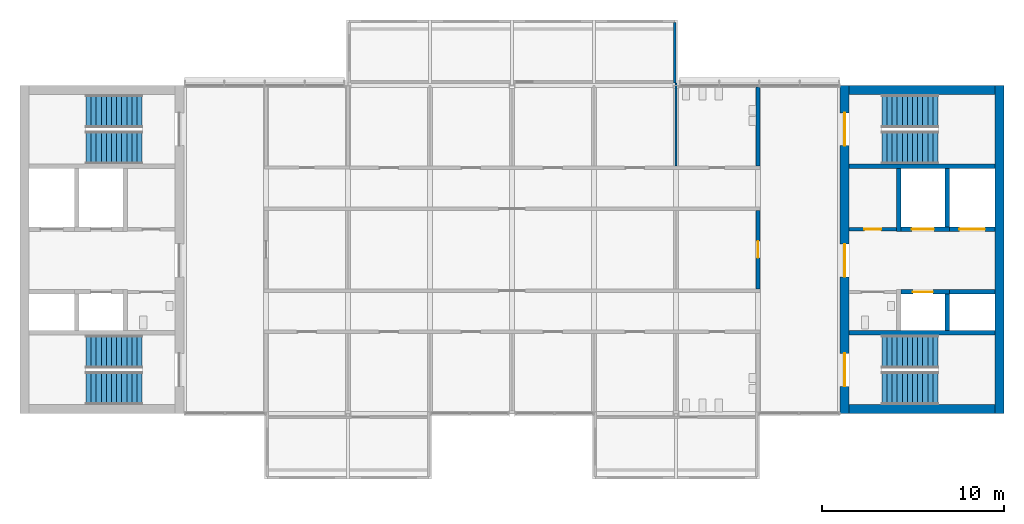
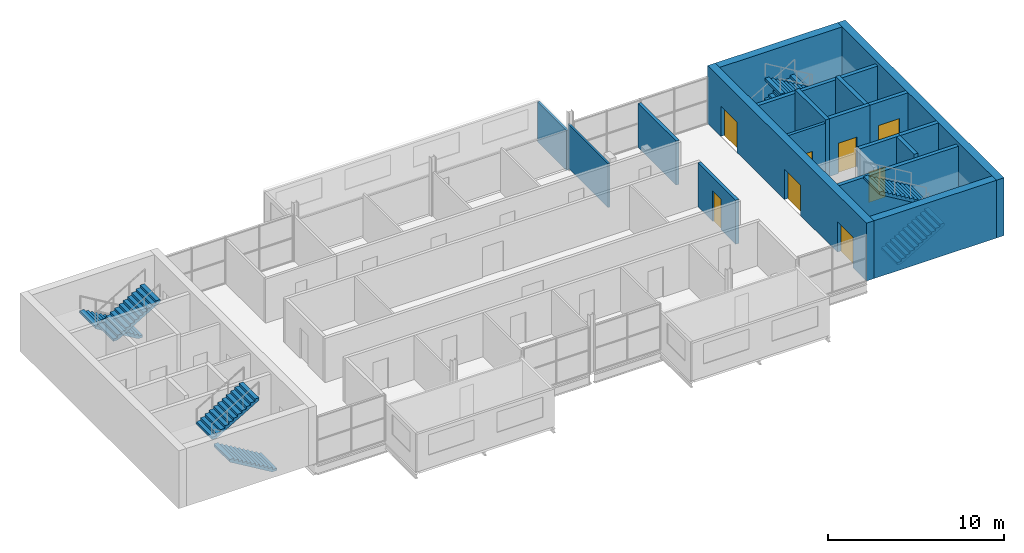
# One storey, part 7 of 10: 18 walls, 8 doors, 8 stair flights, 8 openings, 4 elements without a shape of their own.
"""IFC4 building model written with IfcOpenShell, lengths in metres."""

from ifc_helpers import new_model, si_unit, direction, frame, frame_2d, origin, place, context, subcontext, project, spatial, polyline, rectangle, outline, extrude, material, layer, layer_set, type_object, element, fill, aggregate, save


model = new_model("IFC4")

# Units and contexts
model_context = context("Model", 3, precision=1e-05, world=origin(), true_north=direction((0.0, 1.0)))
body_context = subcontext(model_context, "Body", "Model", "MODEL_VIEW")
ifc_project = project(units=[si_unit("LENGTHUNIT", "METRE"), si_unit("AREAUNIT", "SQUARE_METRE"), si_unit("VOLUMEUNIT", "CUBIC_METRE"), si_unit("PLANEANGLEUNIT", "RADIAN"), si_unit("MASSUNIT", "GRAM", prefix="KILO")], contexts=[model_context])

# Site, building, storey
site_placement = place(None, origin())
site = spatial("IfcSite", under=ifc_project, at=site_placement, CompositionType="ELEMENT")
building_placement = place(site_placement, origin())
building = spatial("IfcBuilding", under=site, at=building_placement, Name="Corbel Yard City Hall", CompositionType="ELEMENT")
storey_placement = place(building_placement, frame((0.0, 0.0, 63.199951171875)))
storey = spatial("IfcBuildingStorey", under=building, at=storey_placement, Name="L15", CompositionType="ELEMENT", Elevation=63.199951171875)

# Walls
ifc_material_1 = material(Name="Concrete N40 (40 MPa)", Category="concrete")
ifc_layer_1 = layer(ifc_material_1, 0.25)
ifc_layer_set_1 = layer_set([ifc_layer_1], Name="Concrete N40 (40 MPa)")
wall_type_1 = type_object("IfcWallType", Name="IW2", PredefinedType="SOLIDWALL", material=ifc_layer_set_1)
for number, where, z_axis, x_axis, name in (
    (1, (45.5, 103.425048828125, 0.0), (0.0, 0.0, 1.0), (1.0, 0.0, 0.0), "Stair enclosure wall"),
    (2, (45.5, 112.574951171875, 0.0), (0.0, 0.0, 1.0), (1.0, 0.0, 0.0), "Stair enclosure wall"),
):
    element("IfcWall", number, at=place(storey_placement, frame(where, z_axis=z_axis, x_axis=x_axis)), inside=storey, type_object=wall_type_1, Name=name, PredefinedType="SOLIDWALL", context=body_context, shape_type="SweptSolid", body=[
        extrude(rectangle(XDim=8.0, YDim=0.25, at=frame_2d((4.0, 0.0))), origin(), (0.0, 0.0, 1.0), 3.75),
    ])
wall_1_placement = place(storey_placement, frame((50.875, 103.550048828125, 0.0), z_axis=(0.0, 0.0, 1.0), x_axis=(0.0, 1.0, 0.0)))
element("IfcWall", 3, at=wall_1_placement, inside=storey, type_object=wall_type_1, Name="Lift LP25 shaft wall", PredefinedType="SOLIDWALL", context=body_context, shape_type="SweptSolid", body=[
    extrude(rectangle(XDim=2.0, YDim=0.25, at=frame_2d((1.0, 0.0))), origin(), (0.0, 0.0, 1.0), 4.0),
])

# Wall, opening, door
wall_2_placement = place(storey_placement, frame((48.35009765625, 105.675048828125, 0.0), z_axis=(0.0, 0.0, 1.0), x_axis=(1.0, 0.0, 0.0)))
wall_2 = element("IfcWall", 4, at=wall_2_placement, inside=storey, type_object=wall_type_1, Name="Lift LP25 shaft wall", PredefinedType="SOLIDWALL", context=body_context, shape_type="SweptSolid", body=[
    extrude(rectangle(XDim=2.64990234375, YDim=0.25, at=frame_2d((1.324951171875, 0.0))), origin(), (0.0, 0.0, 1.0), 4.0),
])
opening_1_placement = place(wall_2_placement, frame((0.64990234375, 0.0, 0.0)))
opening_1 = element("IfcOpeningElement", 5, at=opening_1_placement, cuts=wall_2, Name="Opening T4-007", PredefinedType="OPENING", context=body_context, shape_type="SweptSolid", body=[
    extrude(rectangle(XDim=1.10009765625, YDim=2.10009765625, at=frame_2d((0.550048828125, 1.050048828125))), frame((0.0, 0.135009765625, 0.0), z_axis=(0.0, -1.0, 0.0), x_axis=(1.0, 0.0, 0.0)), (0.0, 0.0, 1.0), 0.27001953125),
])
ifc_material_2 = material(Name="Stainless steel Grade 316", Category="steel")
door_type_1 = type_object("IfcDoorType", Name="LD1", OperationType="DOUBLE_DOOR_SLIDING", PredefinedType="DOOR", material=ifc_material_2)
door_1_placement = place(opening_1_placement, origin())
door_1 = element("IfcDoor", 6, at=door_1_placement, inside=storey, type_object=door_type_1, Name="Lift LP25 landing door", OperationType="DOUBLE_DOOR_SLIDING", OverallHeight=2.10009765625, OverallWidth=1.10009765625, PredefinedType="DOOR", context=body_context, shape_type="SweptSolid", body=[
    extrude(rectangle(XDim=1.10009765625, YDim=2.10009765625, at=frame_2d((0.550048828125, 1.050048828125))), frame((0.0, 0.02490234375, 0.0), z_axis=(0.0, -1.0, 0.0), x_axis=(1.0, 0.0, 0.0)), (0.0, 0.0, 1.0), 0.050048828125),
])
fill(opening_1, door_1)

# Walls
wall_3_placement = place(storey_placement, frame((51.0, 105.675048828125, 0.0), z_axis=(0.0, 0.0, 1.0), x_axis=(1.0, 0.0, 0.0)))
element("IfcWall", 7, at=wall_3_placement, inside=storey, type_object=wall_type_1, Name="Lift LP26 shaft wall", PredefinedType="SOLIDWALL", context=body_context, shape_type="SweptSolid", body=[
    extrude(rectangle(XDim=2.5, YDim=0.25, at=frame_2d((1.25, 0.0))), origin(), (0.0, 0.0, 1.0), 4.0),
])
wall_4_placement = place(storey_placement, frame((48.22509765625, 109.0, 0.0), z_axis=(0.0, 0.0, 1.0), x_axis=(0.0, 1.0, 0.0)))
element("IfcWall", 8, at=wall_4_placement, inside=storey, type_object=wall_type_1, Name="Lift LF2 shaft wall", PredefinedType="SOLIDWALL", context=body_context, shape_type="SweptSolid", body=[
    extrude(rectangle(XDim=3.449951171875, YDim=0.25, at=frame_2d((1.72509765625, 0.0))), origin(), (0.0, 0.0, 1.0), 4.0),
])
wall_5_placement = place(storey_placement, frame((50.875, 109.25, 0.0), z_axis=(0.0, 0.0, 1.0), x_axis=(0.0, 1.0, 0.0)))
element("IfcWall", 9, at=wall_5_placement, inside=storey, type_object=wall_type_1, Name="Lift LF2 shaft wall", PredefinedType="SOLIDWALL", context=body_context, shape_type="SweptSolid", body=[
    extrude(rectangle(XDim=3.199951171875, YDim=0.25, at=frame_2d((1.60009765625, 0.0))), origin(), (0.0, 0.0, 1.0), 4.0),
])

# Wall, opening, door
wall_6_placement = place(storey_placement, frame((48.35009765625, 109.125, 0.0), z_axis=(0.0, 0.0, 1.0), x_axis=(1.0, 0.0, 0.0)))
wall_6 = element("IfcWall", 10, at=wall_6_placement, inside=storey, type_object=wall_type_1, Name="Lift LF2 shaft wall", PredefinedType="SOLIDWALL", context=body_context, shape_type="SweptSolid", body=[
    extrude(rectangle(XDim=2.64990234375, YDim=0.25, at=frame_2d((1.324951171875, 0.0))), origin(), (0.0, 0.0, 1.0), 4.0),
])
opening_2_placement = place(wall_6_placement, frame((0.60009765625, 0.0, 0.0)))
opening_2 = element("IfcOpeningElement", 11, at=opening_2_placement, cuts=wall_6, Name="Opening T4-008", PredefinedType="OPENING", context=body_context, shape_type="SweptSolid", body=[
    extrude(rectangle(XDim=1.199951171875, YDim=2.10009765625, at=frame_2d((0.60009765625, 1.050048828125))), frame((0.0, 0.135009765625, 0.0), z_axis=(0.0, -1.0, 0.0), x_axis=(1.0, 0.0, 0.0)), (0.0, 0.0, 1.0), 0.27001953125),
])
door_type_2 = type_object("IfcDoorType", Name="LD2", OperationType="DOUBLE_DOOR_SLIDING", PredefinedType="DOOR", material=ifc_material_2)
door_2_placement = place(opening_2_placement, origin())
door_2 = element("IfcDoor", 12, at=door_2_placement, inside=storey, type_object=door_type_2, Name="Lift LF2 landing door", OperationType="DOUBLE_DOOR_SLIDING", OverallHeight=2.10009765625, OverallWidth=1.199951171875, PredefinedType="DOOR", context=body_context, shape_type="SweptSolid", body=[
    extrude(rectangle(XDim=1.199951171875, YDim=2.10009765625, at=frame_2d((0.60009765625, 1.050048828125))), frame((0.0, 0.02490234375, 0.0), z_axis=(0.0, -1.0, 0.0), x_axis=(1.0, 0.0, 0.0)), (0.0, 0.0, 1.0), 0.050048828125),
])
fill(opening_2, door_2)

wall_7_placement = place(storey_placement, frame((51.0, 109.125, 0.0), z_axis=(0.0, 0.0, 1.0), x_axis=(1.0, 0.0, 0.0)))
wall_7 = element("IfcWall", 13, at=wall_7_placement, inside=storey, type_object=wall_type_1, Name="Lift LG1 shaft wall", PredefinedType="SOLIDWALL", context=body_context, shape_type="SweptSolid", body=[
    extrude(rectangle(XDim=2.5, YDim=0.25, at=frame_2d((1.25, 0.0))), origin(), (0.0, 0.0, 1.0), 4.0),
])
opening_3_placement = place(wall_7_placement, frame((0.550048828125, 0.0, 0.0)))
opening_3 = element("IfcOpeningElement", 14, at=opening_3_placement, cuts=wall_7, Name="Opening T4-009", PredefinedType="OPENING", context=body_context, shape_type="SweptSolid", body=[
    extrude(rectangle(XDim=1.39990234375, YDim=2.39990234375, at=frame_2d((0.699951171875, 1.199951171875))), frame((0.0, 0.135009765625, 0.0), z_axis=(0.0, -1.0, 0.0), x_axis=(1.0, 0.0, 0.0)), (0.0, 0.0, 1.0), 0.27001953125),
])
door_type_3 = type_object("IfcDoorType", Name="LD3", OperationType="DOUBLE_DOOR_SLIDING", PredefinedType="DOOR", material=ifc_material_2)
door_3_placement = place(opening_3_placement, origin())
door_3 = element("IfcDoor", 15, at=door_3_placement, inside=storey, type_object=door_type_3, Name="Lift LG1 landing door", OperationType="DOUBLE_DOOR_SLIDING", OverallHeight=2.39990234375, OverallWidth=1.39990234375, PredefinedType="DOOR", context=body_context, shape_type="SweptSolid", body=[
    extrude(rectangle(XDim=1.39990234375, YDim=2.39990234375, at=frame_2d((0.699951171875, 1.199951171875))), frame((0.0, 0.02490234375, 0.0), z_axis=(0.0, -1.0, 0.0), x_axis=(1.0, 0.0, 0.0)), (0.0, 0.0, 1.0), 0.050048828125),
])
fill(opening_3, door_3)

# Walls
ifc_material_3 = material(Name="Anodised aluminium", Category="aluminium")
ifc_layer_2 = layer(ifc_material_3, 0.02392578125)
ifc_material_4 = material(Name="Steel Grade G550 (550 MPa yield)", Category="steel")
ifc_layer_3 = layer(ifc_material_4, 0.10009765625)
ifc_material_5 = material(Name="Gypsum plasterboard", Category="gypsum")
ifc_layer_4 = layer(ifc_material_5, 0.02587890625)
ifc_layer_set_2 = layer_set([ifc_layer_2, ifc_layer_3, ifc_layer_4], Name="Steel Grade G550 (550 MPa yield)")
wall_type_2 = type_object("IfcWallType", Name="PD3", PredefinedType="SOLIDWALL", material=ifc_layer_set_2)
wall_8_placement = place(storey_placement, frame((35.925048828125, 120.449951171875, -0.14990234375), z_axis=(0.0, 0.0, 1.0), x_axis=(0.0, -1.0, 0.0)))
element("IfcWall", 16, at=wall_8_placement, inside=storey, type_object=wall_type_2, Name="Pod side wall L15", PredefinedType="SOLIDWALL", context=body_context, shape_type="SweptSolid", body=[
    extrude(rectangle(XDim=3.29638671875, YDim=0.14990234375, at=frame_2d((1.648193359375, 0.0))), origin(), (0.0, 0.0, 1.0), 2.75),
])
ifc_layer_5 = layer(ifc_material_5, 0.028076171875)
ifc_layer_6 = layer(ifc_material_4, 0.06396484375)
ifc_layer_7 = layer(ifc_material_5, 0.028076171875)
ifc_layer_set_3 = layer_set([ifc_layer_5, ifc_layer_6, ifc_layer_7], Name="Steel Grade G550 (550 MPa yield)")
wall_type_3 = type_object("IfcWallType", Name="PT1", PredefinedType="PARTITIONING", material=ifc_layer_set_3)
wall_9_placement = place(storey_placement, frame((36.0, 112.60009765625, 0.0), z_axis=(0.0, 0.0, 1.0), x_axis=(0.0, 1.0, 0.0)))
element("IfcWall", 17, at=wall_9_placement, inside=storey, type_object=wall_type_3, Name="Partition", PredefinedType="PARTITIONING", context=body_context, shape_type="SweptSolid", body=[
    extrude(rectangle(XDim=4.553466796875, YDim=0.1201171875, at=frame_2d((2.27685546875, 0.0))), origin(), (0.0, 0.0, 1.0), 3.050048828125),
])

# Wall, opening, door
ifc_layer_8 = layer(ifc_material_5, 0.031982421875)
ifc_layer_9 = layer(ifc_material_4, 0.135986328125)
ifc_layer_10 = layer(ifc_material_5, 0.031982421875)
ifc_layer_set_4 = layer_set([ifc_layer_8, ifc_layer_9, ifc_layer_10], Name="Steel Grade G550 (550 MPa yield)")
wall_type_4 = type_object("IfcWallType", Name="PT2", PredefinedType="PARTITIONING", material=ifc_layer_set_4)
wall_10_placement = place(storey_placement, frame((40.5, 105.85009765625, 0.0), z_axis=(0.0, 0.0, 1.0), x_axis=(0.0, 1.0, 0.0)))
wall_10 = element("IfcWall", 18, at=wall_10_placement, inside=storey, type_object=wall_type_4, Name="Acoustic wall", PredefinedType="PARTITIONING", context=body_context, shape_type="SweptSolid", body=[
    extrude(rectangle(XDim=4.2998046875, YDim=0.199951171875, at=frame_2d((2.14990234375, 0.0))), origin(), (0.0, 0.0, 1.0), 3.050048828125),
])
opening_4_placement = place(wall_10_placement, frame((1.68994140625, 0.0, 0.0)))
opening_4 = element("IfcOpeningElement", 19, at=opening_4_placement, cuts=wall_10, Name="Opening T4-013", PredefinedType="OPENING", context=body_context, shape_type="SweptSolid", body=[
    extrude(rectangle(XDim=0.919921875, YDim=2.10009765625, at=frame_2d((0.4599609375, 1.050048828125))), frame((0.0, 0.10986328125, 0.0), z_axis=(0.0, -1.0, 0.0), x_axis=(1.0, 0.0, 0.0)), (0.0, 0.0, 1.0), 0.219970703125),
])
ifc_material_6 = material(Name="Timber", Category="wood")
door_type_4 = type_object("IfcDoorType", Name="D4", OperationType="SINGLE_SWING_LEFT", PredefinedType="DOOR", material=ifc_material_6)
door_4_placement = place(opening_4_placement, origin())
door_4 = element("IfcDoor", 20, at=door_4_placement, inside=storey, type_object=door_type_4, Name="Door Pantry 1511", OperationType="SINGLE_SWING_LEFT", OverallHeight=2.10009765625, OverallWidth=0.919921875, PredefinedType="DOOR", context=body_context, shape_type="SweptSolid", body=[
    extrude(rectangle(XDim=0.919921875, YDim=2.10009765625, at=frame_2d((0.4599609375, 1.050048828125))), frame((0.0, 0.02490234375, 0.0), z_axis=(0.0, -1.0, 0.0), x_axis=(1.0, 0.0, 0.0)), (0.0, 0.0, 1.0), 0.050048828125),
])
fill(opening_4, door_4)

# Wall
wall_11_placement = place(storey_placement, frame((40.5, 112.60009765625, 0.0), z_axis=(0.0, 0.0, 1.0), x_axis=(0.0, 1.0, 0.0)))
element("IfcWall", 21, at=wall_11_placement, inside=storey, type_object=wall_type_4, Name="Acoustic wall", PredefinedType="PARTITIONING", context=body_context, shape_type="SweptSolid", body=[
    extrude(rectangle(XDim=4.309814453125, YDim=0.199951171875, at=frame_2d((2.15478515625, 0.0))), origin(), (0.0, 0.0, 1.0), 3.050048828125),
])

# Wall, opening, door
ifc_material_7 = material(Name="Concrete block", Category="concrete")
ifc_layer_11 = layer(ifc_material_7, 0.18994140625)
ifc_layer_set_5 = layer_set([ifc_layer_11], Name="Concrete block")
wall_type_5 = type_object("IfcWallType", Name="PT4", PredefinedType="PARTITIONING", material=ifc_layer_set_5)
wall_12_placement = place(storey_placement, frame((45.5, 109.125, 0.0), z_axis=(0.0, 0.0, 1.0), x_axis=(1.0, 0.0, 0.0)))
wall_12 = element("IfcWall", 22, at=wall_12_placement, inside=storey, type_object=wall_type_5, Name="Riser wall", PredefinedType="PARTITIONING", context=body_context, shape_type="SweptSolid", body=[
    extrude(rectangle(XDim=2.60009765625, YDim=0.18994140625, at=frame_2d((1.300048828125, 0.0))), origin(), (0.0, 0.0, 1.0), 3.75),
])
opening_5_placement = place(wall_12_placement, frame((0.840087890625, 0.0, 0.0)))
opening_5 = element("IfcOpeningElement", 23, at=opening_5_placement, cuts=wall_12, Name="Opening T4-035", PredefinedType="OPENING", context=body_context, shape_type="SweptSolid", body=[
    extrude(rectangle(XDim=0.919921875, YDim=2.10009765625, at=frame_2d((0.4599609375, 1.050048828125))), frame((0.0, 0.10498046875, 0.0), z_axis=(0.0, -1.0, 0.0), x_axis=(1.0, 0.0, 0.0)), (0.0, 0.0, 1.0), 0.2099609375),
])
ifc_material_8 = material(Name="Steel Grade G250", Category="steel")
door_type_5 = type_object("IfcDoorType", Name="FS4", OperationType="SINGLE_SWING_LEFT", PredefinedType="DOOR", material=ifc_material_8)
door_5_placement = place(opening_5_placement, origin())
door_5 = element("IfcDoor", 24, at=door_5_placement, inside=storey, type_object=door_type_5, Name="Door riser East", OperationType="SINGLE_SWING_LEFT", OverallHeight=2.10009765625, OverallWidth=0.919921875, PredefinedType="DOOR", context=body_context, shape_type="SweptSolid", body=[
    extrude(rectangle(XDim=0.919921875, YDim=2.10009765625, at=frame_2d((0.4599609375, 1.050048828125))), frame((0.0, 0.02490234375, 0.0), z_axis=(0.0, -1.0, 0.0), x_axis=(1.0, 0.0, 0.0)), (0.0, 0.0, 1.0), 0.050048828125),
])
fill(opening_5, door_5)

# Wall, openings, doors
ifc_material_9 = material(Name="Concrete N50 (50 MPa)", Category="concrete")
ifc_layer_12 = layer(ifc_material_9, 0.5)
ifc_layer_set_6 = layer_set([ifc_layer_12], Name="Concrete N50 (50 MPa)")
wall_type_6 = type_object("IfcWallType", Name="Trunk wall 500", PredefinedType="SHEAR", material=ifc_layer_set_6)
wall_13_placement = place(storey_placement, frame((45.25, 99.0, 0.0), z_axis=(0.0, 0.0, 1.0), x_axis=(0.0, 1.0, 0.0)))
wall_13 = element("IfcWall", 25, at=wall_13_placement, inside=storey, type_object=wall_type_6, Name="Trunk E west wall", PredefinedType="SHEAR", context=body_context, shape_type="SweptSolid", body=[
    extrude(rectangle(XDim=18.0, YDim=0.5, at=frame_2d((9.0, 0.0))), origin(), (0.0, 0.0, 1.0), 4.0),
])
opening_6_placement = place(wall_13_placement, frame((1.5, 0.0, 0.0)))
opening_6 = element("IfcOpeningElement", 26, at=opening_6_placement, cuts=wall_13, Name="Opening T4-031", PredefinedType="OPENING", context=body_context, shape_type="SweptSolid", body=[
    extrude(rectangle(XDim=1.800048828125, YDim=2.10009765625, at=frame_2d((0.89990234375, 1.050048828125))), frame((0.0, 0.260009765625, 0.0), z_axis=(0.0, -1.0, 0.0), x_axis=(1.0, 0.0, 0.0)), (0.0, 0.0, 1.0), 0.52001953125),
])
opening_7_placement = place(wall_13_placement, frame((14.699951171875, 0.0, 0.0)))
opening_7 = element("IfcOpeningElement", 27, at=opening_7_placement, cuts=wall_13, Name="Opening T4-032", PredefinedType="OPENING", context=body_context, shape_type="SweptSolid", body=[
    extrude(rectangle(XDim=1.800048828125, YDim=2.10009765625, at=frame_2d((0.89990234375, 1.050048828125))), frame((0.0, 0.260009765625, 0.0), z_axis=(0.0, -1.0, 0.0), x_axis=(1.0, 0.0, 0.0)), (0.0, 0.0, 1.0), 0.52001953125),
])
opening_8_placement = place(wall_13_placement, frame((7.5, 0.0, 0.0)))
opening_8 = element("IfcOpeningElement", 28, at=opening_8_placement, cuts=wall_13, Name="Opening T4-033", PredefinedType="OPENING", context=body_context, shape_type="SweptSolid", body=[
    extrude(rectangle(XDim=1.800048828125, YDim=2.10009765625, at=frame_2d((0.89990234375, 1.050048828125))), frame((0.0, 0.260009765625, 0.0), z_axis=(0.0, -1.0, 0.0), x_axis=(1.0, 0.0, 0.0)), (0.0, 0.0, 1.0), 0.52001953125),
])
door_type_6 = type_object("IfcDoorType", Name="FS3", OperationType="DOUBLE_DOOR_SINGLE_SWING", PredefinedType="DOOR", material=ifc_material_8)
door_6_placement = place(opening_6_placement, origin())
door_6 = element("IfcDoor", 29, at=door_6_placement, inside=storey, type_object=door_type_6, Name="Door ST-E1", OperationType="DOUBLE_DOOR_SINGLE_SWING", OverallHeight=2.10009765625, OverallWidth=1.800048828125, PredefinedType="DOOR", context=body_context, shape_type="SweptSolid", body=[
    extrude(rectangle(XDim=1.800048828125, YDim=2.10009765625, at=frame_2d((0.89990234375, 1.050048828125))), frame((0.0, 0.02490234375, 0.0), z_axis=(0.0, -1.0, 0.0), x_axis=(1.0, 0.0, 0.0)), (0.0, 0.0, 1.0), 0.050048828125),
])
fill(opening_6, door_6)
door_7_placement = place(opening_7_placement, origin())
door_7 = element("IfcDoor", 30, at=door_7_placement, inside=storey, type_object=door_type_6, Name="Door ST-E2", OperationType="DOUBLE_DOOR_SINGLE_SWING", OverallHeight=2.10009765625, OverallWidth=1.800048828125, PredefinedType="DOOR", context=body_context, shape_type="SweptSolid", body=[
    extrude(rectangle(XDim=1.800048828125, YDim=2.10009765625, at=frame_2d((0.89990234375, 1.050048828125))), frame((0.0, 0.02490234375, 0.0), z_axis=(0.0, -1.0, 0.0), x_axis=(1.0, 0.0, 0.0)), (0.0, 0.0, 1.0), 0.050048828125),
])
fill(opening_7, door_7)
door_8_placement = place(opening_8_placement, origin())
door_8 = element("IfcDoor", 31, at=door_8_placement, inside=storey, type_object=door_type_6, Name="Door lift lobby East", OperationType="DOUBLE_DOOR_SINGLE_SWING", OverallHeight=2.10009765625, OverallWidth=1.800048828125, PredefinedType="DOOR", context=body_context, shape_type="SweptSolid", body=[
    extrude(rectangle(XDim=1.800048828125, YDim=2.10009765625, at=frame_2d((0.89990234375, 1.050048828125))), frame((0.0, 0.02490234375, 0.0), z_axis=(0.0, -1.0, 0.0), x_axis=(1.0, 0.0, 0.0)), (0.0, 0.0, 1.0), 0.050048828125),
])
fill(opening_8, door_8)

# Walls
wall_14_placement = place(storey_placement, frame((53.75, 99.0, 0.0), z_axis=(0.0, 0.0, 1.0), x_axis=(0.0, 1.0, 0.0)))
element("IfcWall", 32, at=wall_14_placement, inside=storey, type_object=wall_type_6, Name="Trunk E east wall", PredefinedType="SHEAR", context=body_context, shape_type="SweptSolid", body=[
    extrude(rectangle(XDim=18.0, YDim=0.5, at=frame_2d((9.0, 0.0))), origin(), (0.0, 0.0, 1.0), 4.0),
])
for number, where, z_axis, x_axis, name in (
    (33, (45.5, 99.25, 0.0), (0.0, 0.0, 1.0), (1.0, 0.0, 0.0), "Trunk E south wall"),
    (34, (45.5, 116.75, 0.0), (0.0, 0.0, 1.0), (1.0, 0.0, 0.0), "Trunk E north wall"),
):
    element("IfcWall", number, at=place(storey_placement, frame(where, z_axis=z_axis, x_axis=x_axis)), inside=storey, type_object=wall_type_6, Name=name, PredefinedType="SHEAR", context=body_context, shape_type="SweptSolid", body=[
        extrude(rectangle(XDim=8.0, YDim=0.5, at=frame_2d((4.0, 0.0))), origin(), (0.0, 0.0, 1.0), 4.0),
    ])

# Stair, stair flights
stair_type = type_object("IfcStairType", Name="ST4", PredefinedType="HALF_TURN_STAIR", material=ifc_material_1)
stair_1_placement = place(storey_placement, origin())
stair_1 = element("IfcStair", 35, at=stair_1_placement, inside=storey, type_object=stair_type, Name="Exit stair ST-W1 L15", PredefinedType="HALF_TURN_STAIR")
stair_flight_type = type_object("IfcStairFlightType", Name="FL4", PredefinedType="STRAIGHT", material=ifc_material_1)
stair_flight_1_placement = place(storey_placement, frame((6.699951171875, 100.39990234375, 0.0), z_axis=(0.0, 0.0, 1.0), x_axis=(-1.0, 0.0, 0.0)))
stair_flight_1 = element("IfcStairFlight", 36, at=stair_flight_1_placement, type_object=stair_flight_type, Name="ST-W1 flight 1", NumberOfRisers=12, NumberOfTreads=11, PredefinedType="STRAIGHT", RiserHeight=0.166667, TreadLength=0.28, context=body_context, shape_type="SweptSolid", body=[
    extrude(outline(polyline([(0.0, 0.0), (0.0, 0.166748046875), (0.280029296875, 0.166748046875), (0.280029296875, 0.333251953125), (0.56005859375, 0.333251953125), (0.56005859375, 0.5), (0.840087890625, 0.5), (0.840087890625, 0.666748046875), (1.1201171875, 0.666748046875), (1.1201171875, 0.833251953125), (1.39990234375, 0.833251953125), (1.39990234375, 1.0), (1.679931640625, 1.0), (1.679931640625, 1.166748046875), (1.9599609375, 1.166748046875), (1.9599609375, 1.333251953125), (2.239990234375, 1.333251953125), (2.239990234375, 1.5), (2.52001953125, 1.5), (2.52001953125, 1.666748046875), (2.800048828125, 1.666748046875), (2.800048828125, 1.833251953125), (3.080078125, 1.833251953125), (3.080078125, 2.0), (3.080078125, 1.658935546875), (0.29296875, 0.0), (0.0, 0.0)])), frame((0.0, 0.89990234375, 0.0), z_axis=(0.0, -1.0, 0.0), x_axis=(1.0, 0.0, 0.0)), (0.0, 0.0, 1.0), 1.800048828125),
])
stair_flight_2_placement = place(storey_placement, frame((3.6201171875, 102.39990234375, 2.0), z_axis=(0.0, 0.0, 1.0), x_axis=(1.0, 0.0, 0.0)))
stair_flight_2 = element("IfcStairFlight", 37, at=stair_flight_2_placement, type_object=stair_flight_type, Name="ST-W1 flight 2", NumberOfRisers=12, NumberOfTreads=11, PredefinedType="STRAIGHT", RiserHeight=0.166667, TreadLength=0.28, context=body_context, shape_type="SweptSolid", body=[
    extrude(outline(polyline([(0.0, 0.0), (0.0, 0.166748046875), (0.280029296875, 0.166748046875), (0.280029296875, 0.333251953125), (0.56005859375, 0.333251953125), (0.56005859375, 0.5), (0.840087890625, 0.5), (0.840087890625, 0.666748046875), (1.1201171875, 0.666748046875), (1.1201171875, 0.833251953125), (1.39990234375, 0.833251953125), (1.39990234375, 1.0), (1.679931640625, 1.0), (1.679931640625, 1.166748046875), (1.9599609375, 1.166748046875), (1.9599609375, 1.333251953125), (2.239990234375, 1.333251953125), (2.239990234375, 1.5), (2.52001953125, 1.5), (2.52001953125, 1.666748046875), (2.800048828125, 1.666748046875), (2.800048828125, 1.833251953125), (3.080078125, 1.833251953125), (3.080078125, 2.0), (3.080078125, 1.658935546875), (0.29296875, 0.0), (0.0, 0.0)])), frame((0.0, 0.89990234375, 0.0), z_axis=(0.0, -1.0, 0.0), x_axis=(1.0, 0.0, 0.0)), (0.0, 0.0, 1.0), 1.800048828125),
])
aggregate(stair_1, [stair_flight_1, stair_flight_2])

stair_2_placement = place(storey_placement, origin())
stair_2 = element("IfcStair", 38, at=stair_2_placement, inside=storey, type_object=stair_type, Name="Exit stair ST-W2 L15", PredefinedType="HALF_TURN_STAIR")
stair_flight_3_placement = place(storey_placement, frame((6.699951171875, 115.60009765625, 0.0), z_axis=(0.0, 0.0, 1.0), x_axis=(-1.0, 0.0, 0.0)))
stair_flight_3 = element("IfcStairFlight", 39, at=stair_flight_3_placement, type_object=stair_flight_type, Name="ST-W2 flight 1", NumberOfRisers=12, NumberOfTreads=11, PredefinedType="STRAIGHT", RiserHeight=0.166667, TreadLength=0.28, context=body_context, shape_type="SweptSolid", body=[
    extrude(outline(polyline([(0.0, 0.0), (0.0, 0.166748046875), (0.280029296875, 0.166748046875), (0.280029296875, 0.333251953125), (0.56005859375, 0.333251953125), (0.56005859375, 0.5), (0.840087890625, 0.5), (0.840087890625, 0.666748046875), (1.1201171875, 0.666748046875), (1.1201171875, 0.833251953125), (1.39990234375, 0.833251953125), (1.39990234375, 1.0), (1.679931640625, 1.0), (1.679931640625, 1.166748046875), (1.9599609375, 1.166748046875), (1.9599609375, 1.333251953125), (2.239990234375, 1.333251953125), (2.239990234375, 1.5), (2.52001953125, 1.5), (2.52001953125, 1.666748046875), (2.800048828125, 1.666748046875), (2.800048828125, 1.833251953125), (3.080078125, 1.833251953125), (3.080078125, 2.0), (3.080078125, 1.658935546875), (0.29296875, 0.0), (0.0, 0.0)])), frame((0.0, 0.89990234375, 0.0), z_axis=(0.0, -1.0, 0.0), x_axis=(1.0, 0.0, 0.0)), (0.0, 0.0, 1.0), 1.800048828125),
])
stair_flight_4_placement = place(storey_placement, frame((3.6201171875, 113.60009765625, 2.0), z_axis=(0.0, 0.0, 1.0), x_axis=(1.0, 0.0, 0.0)))
stair_flight_4 = element("IfcStairFlight", 40, at=stair_flight_4_placement, type_object=stair_flight_type, Name="ST-W2 flight 2", NumberOfRisers=12, NumberOfTreads=11, PredefinedType="STRAIGHT", RiserHeight=0.166667, TreadLength=0.28, context=body_context, shape_type="SweptSolid", body=[
    extrude(outline(polyline([(0.0, 0.0), (0.0, 0.166748046875), (0.280029296875, 0.166748046875), (0.280029296875, 0.333251953125), (0.56005859375, 0.333251953125), (0.56005859375, 0.5), (0.840087890625, 0.5), (0.840087890625, 0.666748046875), (1.1201171875, 0.666748046875), (1.1201171875, 0.833251953125), (1.39990234375, 0.833251953125), (1.39990234375, 1.0), (1.679931640625, 1.0), (1.679931640625, 1.166748046875), (1.9599609375, 1.166748046875), (1.9599609375, 1.333251953125), (2.239990234375, 1.333251953125), (2.239990234375, 1.5), (2.52001953125, 1.5), (2.52001953125, 1.666748046875), (2.800048828125, 1.666748046875), (2.800048828125, 1.833251953125), (3.080078125, 1.833251953125), (3.080078125, 2.0), (3.080078125, 1.658935546875), (0.29296875, 0.0), (0.0, 0.0)])), frame((0.0, 0.89990234375, 0.0), z_axis=(0.0, -1.0, 0.0), x_axis=(1.0, 0.0, 0.0)), (0.0, 0.0, 1.0), 1.800048828125),
])
aggregate(stair_2, [stair_flight_3, stair_flight_4])

stair_3_placement = place(storey_placement, origin())
stair_3 = element("IfcStair", 41, at=stair_3_placement, inside=storey, type_object=stair_type, Name="Exit stair ST-E1 L15", PredefinedType="HALF_TURN_STAIR")
stair_flight_5_placement = place(storey_placement, frame((47.300048828125, 100.39990234375, 0.0), z_axis=(0.0, 0.0, 1.0), x_axis=(1.0, 0.0, 0.0)))
stair_flight_5 = element("IfcStairFlight", 42, at=stair_flight_5_placement, type_object=stair_flight_type, Name="ST-E1 flight 1", NumberOfRisers=12, NumberOfTreads=11, PredefinedType="STRAIGHT", RiserHeight=0.166667, TreadLength=0.28, context=body_context, shape_type="SweptSolid", body=[
    extrude(outline(polyline([(0.0, 0.0), (0.0, 0.166748046875), (0.280029296875, 0.166748046875), (0.280029296875, 0.333251953125), (0.56005859375, 0.333251953125), (0.56005859375, 0.5), (0.840087890625, 0.5), (0.840087890625, 0.666748046875), (1.1201171875, 0.666748046875), (1.1201171875, 0.833251953125), (1.39990234375, 0.833251953125), (1.39990234375, 1.0), (1.679931640625, 1.0), (1.679931640625, 1.166748046875), (1.9599609375, 1.166748046875), (1.9599609375, 1.333251953125), (2.239990234375, 1.333251953125), (2.239990234375, 1.5), (2.52001953125, 1.5), (2.52001953125, 1.666748046875), (2.800048828125, 1.666748046875), (2.800048828125, 1.833251953125), (3.080078125, 1.833251953125), (3.080078125, 2.0), (3.080078125, 1.658935546875), (0.29296875, 0.0), (0.0, 0.0)])), frame((0.0, 0.89990234375, 0.0), z_axis=(0.0, -1.0, 0.0), x_axis=(1.0, 0.0, 0.0)), (0.0, 0.0, 1.0), 1.800048828125),
])
stair_flight_6_placement = place(storey_placement, frame((50.3798828125, 102.39990234375, 2.0), z_axis=(0.0, 0.0, 1.0), x_axis=(-1.0, 0.0, 0.0)))
stair_flight_6 = element("IfcStairFlight", 43, at=stair_flight_6_placement, type_object=stair_flight_type, Name="ST-E1 flight 2", NumberOfRisers=12, NumberOfTreads=11, PredefinedType="STRAIGHT", RiserHeight=0.166667, TreadLength=0.28, context=body_context, shape_type="SweptSolid", body=[
    extrude(outline(polyline([(0.0, 0.0), (0.0, 0.166748046875), (0.280029296875, 0.166748046875), (0.280029296875, 0.333251953125), (0.56005859375, 0.333251953125), (0.56005859375, 0.5), (0.840087890625, 0.5), (0.840087890625, 0.666748046875), (1.1201171875, 0.666748046875), (1.1201171875, 0.833251953125), (1.39990234375, 0.833251953125), (1.39990234375, 1.0), (1.679931640625, 1.0), (1.679931640625, 1.166748046875), (1.9599609375, 1.166748046875), (1.9599609375, 1.333251953125), (2.239990234375, 1.333251953125), (2.239990234375, 1.5), (2.52001953125, 1.5), (2.52001953125, 1.666748046875), (2.800048828125, 1.666748046875), (2.800048828125, 1.833251953125), (3.080078125, 1.833251953125), (3.080078125, 2.0), (3.080078125, 1.658935546875), (0.29296875, 0.0), (0.0, 0.0)])), frame((0.0, 0.89990234375, 0.0), z_axis=(0.0, -1.0, 0.0), x_axis=(1.0, 0.0, 0.0)), (0.0, 0.0, 1.0), 1.800048828125),
])
aggregate(stair_3, [stair_flight_5, stair_flight_6])

stair_4_placement = place(storey_placement, origin())
stair_4 = element("IfcStair", 44, at=stair_4_placement, inside=storey, type_object=stair_type, Name="Exit stair ST-E2 L15", PredefinedType="HALF_TURN_STAIR")
stair_flight_7_placement = place(storey_placement, frame((47.300048828125, 115.60009765625, 0.0), z_axis=(0.0, 0.0, 1.0), x_axis=(1.0, 0.0, 0.0)))
stair_flight_7 = element("IfcStairFlight", 45, at=stair_flight_7_placement, type_object=stair_flight_type, Name="ST-E2 flight 1", NumberOfRisers=12, NumberOfTreads=11, PredefinedType="STRAIGHT", RiserHeight=0.166667, TreadLength=0.28, context=body_context, shape_type="SweptSolid", body=[
    extrude(outline(polyline([(0.0, 0.0), (0.0, 0.166748046875), (0.280029296875, 0.166748046875), (0.280029296875, 0.333251953125), (0.56005859375, 0.333251953125), (0.56005859375, 0.5), (0.840087890625, 0.5), (0.840087890625, 0.666748046875), (1.1201171875, 0.666748046875), (1.1201171875, 0.833251953125), (1.39990234375, 0.833251953125), (1.39990234375, 1.0), (1.679931640625, 1.0), (1.679931640625, 1.166748046875), (1.9599609375, 1.166748046875), (1.9599609375, 1.333251953125), (2.239990234375, 1.333251953125), (2.239990234375, 1.5), (2.52001953125, 1.5), (2.52001953125, 1.666748046875), (2.800048828125, 1.666748046875), (2.800048828125, 1.833251953125), (3.080078125, 1.833251953125), (3.080078125, 2.0), (3.080078125, 1.658935546875), (0.29296875, 0.0), (0.0, 0.0)])), frame((0.0, 0.89990234375, 0.0), z_axis=(0.0, -1.0, 0.0), x_axis=(1.0, 0.0, 0.0)), (0.0, 0.0, 1.0), 1.800048828125),
])
stair_flight_8_placement = place(storey_placement, frame((50.3798828125, 113.60009765625, 2.0), z_axis=(0.0, 0.0, 1.0), x_axis=(-1.0, 0.0, 0.0)))
stair_flight_8 = element("IfcStairFlight", 46, at=stair_flight_8_placement, type_object=stair_flight_type, Name="ST-E2 flight 2", NumberOfRisers=12, NumberOfTreads=11, PredefinedType="STRAIGHT", RiserHeight=0.166667, TreadLength=0.28, context=body_context, shape_type="SweptSolid", body=[
    extrude(outline(polyline([(0.0, 0.0), (0.0, 0.166748046875), (0.280029296875, 0.166748046875), (0.280029296875, 0.333251953125), (0.56005859375, 0.333251953125), (0.56005859375, 0.5), (0.840087890625, 0.5), (0.840087890625, 0.666748046875), (1.1201171875, 0.666748046875), (1.1201171875, 0.833251953125), (1.39990234375, 0.833251953125), (1.39990234375, 1.0), (1.679931640625, 1.0), (1.679931640625, 1.166748046875), (1.9599609375, 1.166748046875), (1.9599609375, 1.333251953125), (2.239990234375, 1.333251953125), (2.239990234375, 1.5), (2.52001953125, 1.5), (2.52001953125, 1.666748046875), (2.800048828125, 1.666748046875), (2.800048828125, 1.833251953125), (3.080078125, 1.833251953125), (3.080078125, 2.0), (3.080078125, 1.658935546875), (0.29296875, 0.0), (0.0, 0.0)])), frame((0.0, 0.89990234375, 0.0), z_axis=(0.0, -1.0, 0.0), x_axis=(1.0, 0.0, 0.0)), (0.0, 0.0, 1.0), 1.800048828125),
])
aggregate(stair_4, [stair_flight_7, stair_flight_8])

save(model, "model.ifc")
